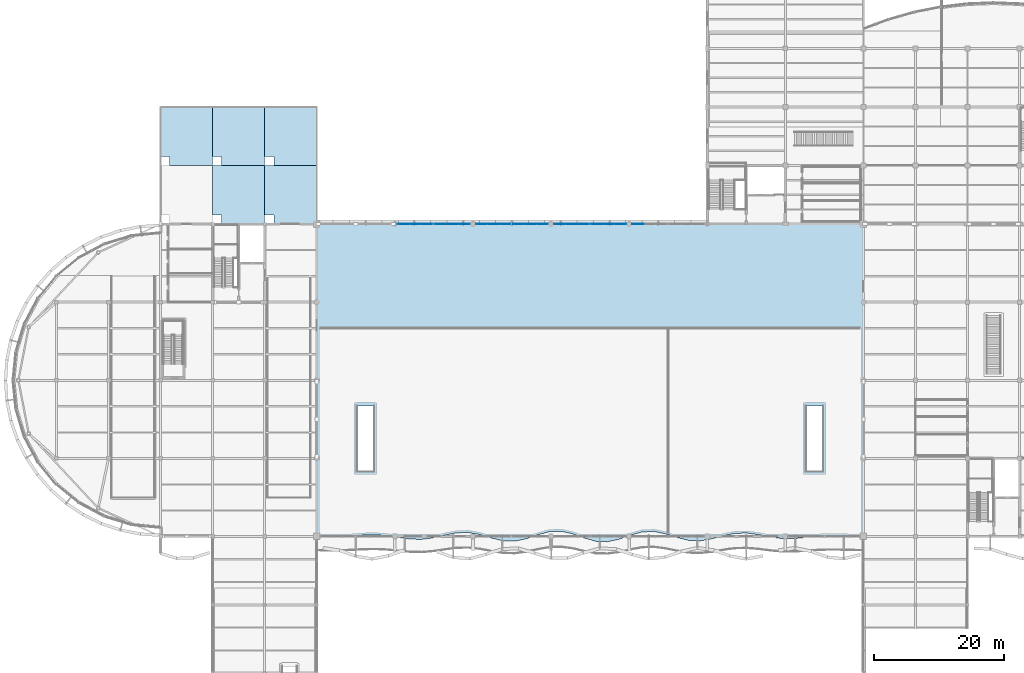
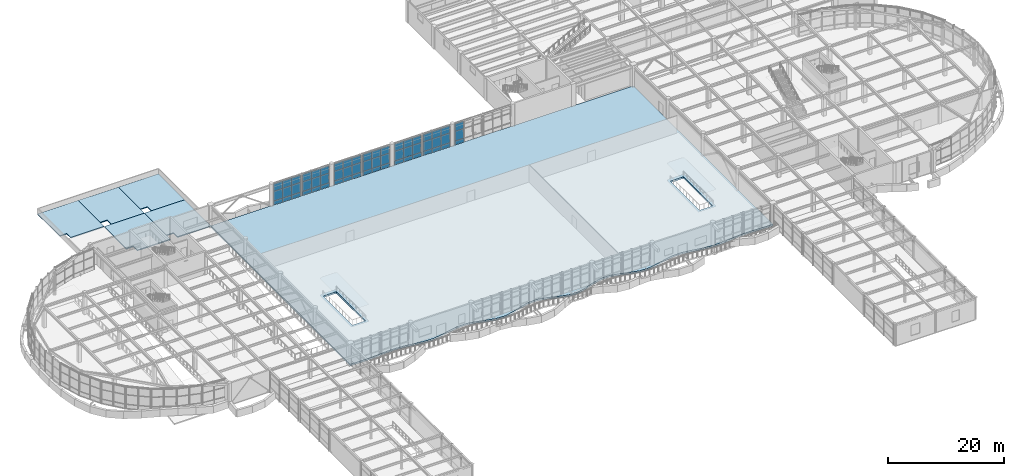
# One storey, part 39 of 72: 57 plates, 6 slabs, 7 elements without a shape of their own.
"""IFC4 building model written with IfcOpenShell, lengths in metres."""

from ifc_helpers import new_model, si_unit, direction, frame, origin, origin_2d, place, context, subcontext, project, spatial, polyline, rectangle, outline, extrude, material, layer, layer_set, type_object, element, aggregate, save


model = new_model("IFC4")

# Units and contexts
model_context = context("Model", 3, precision=1e-05, world=origin(), true_north=direction((0.0, 1.0)))
body_context = subcontext(model_context, "Body", "Model", "MODEL_VIEW")
ifc_project = project(units=[si_unit("LENGTHUNIT", "METRE"), si_unit("AREAUNIT", "SQUARE_METRE"), si_unit("VOLUMEUNIT", "CUBIC_METRE"), si_unit("PLANEANGLEUNIT", "RADIAN"), si_unit("MASSUNIT", "GRAM", prefix="KILO")], contexts=[model_context])

# Site, building, storey
site_placement = place(None, origin())
site = spatial("IfcSite", under=ifc_project, at=site_placement, CompositionType="ELEMENT")
building_placement = place(site_placement, origin())
building = spatial("IfcBuilding", under=site, at=building_placement, Name="Keelwater Ferry Terminal", CompositionType="ELEMENT")
storey_placement = place(building_placement, frame((0.0, 0.0, 5.39990234375)))
storey = spatial("IfcBuildingStorey", under=building, at=storey_placement, Name="L01", CompositionType="ELEMENT", Elevation=5.39990234375)

# Curtain wall, plates
ifc_material_1 = material(Name="Thermally broken unitised aluminium and triple glass", Category="aluminium")
ifc_layer_1 = layer(ifc_material_1, 0.179931640625)
ifc_layer_set_1 = layer_set([ifc_layer_1], Name="Thermally broken unitised aluminium and triple glass")
curtain_wall_type = type_object("IfcCurtainWallType", Name="CW-06 Unitised Curtain Wall 5330x4450", PredefinedType="USERDEFINED", material=ifc_layer_set_1)
curtain_wall_1_placement = place(storey_placement, origin())
curtain_wall_1 = element("IfcCurtainWall", 1, at=curtain_wall_1_placement, inside=storey, type_object=curtain_wall_type, Name="Unitised Curtain Wall CW-L01-031", ObjectType="UNITISED CURTAIN WALL", PredefinedType="USERDEFINED")
ifc_material_2 = material(Name="Insulated aluminium spandrel", Category="aluminium")
ifc_layer_2 = layer(ifc_material_2, 0.080078125)
ifc_layer_set_2 = layer_set([ifc_layer_2], Name="Insulated aluminium spandrel")
plate_type_1 = type_object("IfcPlateType", Name="CWP-S1 Insulated Spandrel Panel 80", PredefinedType="CURTAIN_PANEL", material=ifc_layer_set_2)
plate_1_placement = place(storey_placement, frame((61.36328125, 90.0, 0.0), z_axis=(0.0, 0.0, 1.0), x_axis=(1.0, 0.0, 0.0)))
plate_1 = element("IfcPlate", 2, at=plate_1_placement, type_object=plate_type_1, Name="CW-L01-031 Panel 1.1", PredefinedType="CURTAIN_PANEL", context=body_context, shape_type="SweptSolid", body=[
    extrude(rectangle(XDim=1.776611328125, YDim=0.080078125, at=origin_2d()), origin(), (0.0, 0.0, 1.0), 0.85009765625),
])
plate_2_placement = place(storey_placement, frame((63.139892578125, 90.0, 0.0), z_axis=(0.0, 0.0, 1.0), x_axis=(1.0, 0.0, 0.0)))
plate_2 = element("IfcPlate", 3, at=plate_2_placement, type_object=plate_type_1, Name="CW-L01-031 Panel 2.1", PredefinedType="CURTAIN_PANEL", context=body_context, shape_type="SweptSolid", body=[
    extrude(rectangle(XDim=1.776611328125, YDim=0.080078125, at=origin_2d()), origin(), (0.0, 0.0, 1.0), 0.85009765625),
])
plate_3_placement = place(storey_placement, frame((64.916748046875, 90.0, 0.0), z_axis=(0.0, 0.0, 1.0), x_axis=(1.0, 0.0, 0.0)))
plate_3 = element("IfcPlate", 4, at=plate_3_placement, type_object=plate_type_1, Name="CW-L01-031 Panel 3.1", PredefinedType="CURTAIN_PANEL", context=body_context, shape_type="SweptSolid", body=[
    extrude(rectangle(XDim=1.776611328125, YDim=0.080078125, at=origin_2d()), origin(), (0.0, 0.0, 1.0), 0.85009765625),
])

curtain_wall_2_placement = place(storey_placement, origin())
curtain_wall_2 = element("IfcCurtainWall", 5, at=curtain_wall_2_placement, inside=storey, type_object=curtain_wall_type, Name="Unitised Curtain Wall CW-L01-032", ObjectType="UNITISED CURTAIN WALL", PredefinedType="USERDEFINED")
plate_4_placement = place(storey_placement, frame((67.083251953125, 90.0, 0.0), z_axis=(0.0, 0.0, 1.0), x_axis=(1.0, 0.0, 0.0)))
plate_4 = element("IfcPlate", 6, at=plate_4_placement, type_object=plate_type_1, Name="CW-L01-032 Panel 1.1", PredefinedType="CURTAIN_PANEL", context=body_context, shape_type="SweptSolid", body=[
    extrude(rectangle(XDim=1.776611328125, YDim=0.080078125, at=origin_2d()), origin(), (0.0, 0.0, 1.0), 0.85009765625),
])
plate_5_placement = place(storey_placement, frame((68.860107421875, 90.0, 0.0), z_axis=(0.0, 0.0, 1.0), x_axis=(1.0, 0.0, 0.0)))
plate_5 = element("IfcPlate", 7, at=plate_5_placement, type_object=plate_type_1, Name="CW-L01-032 Panel 2.1", PredefinedType="CURTAIN_PANEL", context=body_context, shape_type="SweptSolid", body=[
    extrude(rectangle(XDim=1.776611328125, YDim=0.080078125, at=origin_2d()), origin(), (0.0, 0.0, 1.0), 0.85009765625),
])
plate_6_placement = place(storey_placement, frame((70.63671875, 90.0, 0.0), z_axis=(0.0, 0.0, 1.0), x_axis=(1.0, 0.0, 0.0)))
plate_6 = element("IfcPlate", 8, at=plate_6_placement, type_object=plate_type_1, Name="CW-L01-032 Panel 3.1", PredefinedType="CURTAIN_PANEL", context=body_context, shape_type="SweptSolid", body=[
    extrude(rectangle(XDim=1.776611328125, YDim=0.080078125, at=origin_2d()), origin(), (0.0, 0.0, 1.0), 0.85009765625),
])

curtain_wall_3_placement = place(storey_placement, origin())
curtain_wall_3 = element("IfcCurtainWall", 9, at=curtain_wall_3_placement, inside=storey, type_object=curtain_wall_type, Name="Unitised Curtain Wall CW-L01-033", ObjectType="UNITISED CURTAIN WALL", PredefinedType="USERDEFINED")
plate_7_placement = place(storey_placement, frame((73.36328125, 90.0, 0.0), z_axis=(0.0, 0.0, 1.0), x_axis=(1.0, 0.0, 0.0)))
plate_7 = element("IfcPlate", 10, at=plate_7_placement, type_object=plate_type_1, Name="CW-L01-033 Panel 1.1", PredefinedType="CURTAIN_PANEL", context=body_context, shape_type="SweptSolid", body=[
    extrude(rectangle(XDim=1.776611328125, YDim=0.080078125, at=origin_2d()), origin(), (0.0, 0.0, 1.0), 0.85009765625),
])
plate_8_placement = place(storey_placement, frame((75.139892578125, 90.0, 0.0), z_axis=(0.0, 0.0, 1.0), x_axis=(1.0, 0.0, 0.0)))
plate_8 = element("IfcPlate", 11, at=plate_8_placement, type_object=plate_type_1, Name="CW-L01-033 Panel 2.1", PredefinedType="CURTAIN_PANEL", context=body_context, shape_type="SweptSolid", body=[
    extrude(rectangle(XDim=1.776611328125, YDim=0.080078125, at=origin_2d()), origin(), (0.0, 0.0, 1.0), 0.85009765625),
])
plate_9_placement = place(storey_placement, frame((76.916748046875, 90.0, 0.0), z_axis=(0.0, 0.0, 1.0), x_axis=(1.0, 0.0, 0.0)))
plate_9 = element("IfcPlate", 12, at=plate_9_placement, type_object=plate_type_1, Name="CW-L01-033 Panel 3.1", PredefinedType="CURTAIN_PANEL", context=body_context, shape_type="SweptSolid", body=[
    extrude(rectangle(XDim=1.776611328125, YDim=0.080078125, at=origin_2d()), origin(), (0.0, 0.0, 1.0), 0.85009765625),
])

curtain_wall_4_placement = place(storey_placement, origin())
curtain_wall_4 = element("IfcCurtainWall", 13, at=curtain_wall_4_placement, inside=storey, type_object=curtain_wall_type, Name="Unitised Curtain Wall CW-L01-034", ObjectType="UNITISED CURTAIN WALL", PredefinedType="USERDEFINED")
plate_10_placement = place(storey_placement, frame((79.083251953125, 90.0, 0.0), z_axis=(0.0, 0.0, 1.0), x_axis=(1.0, 0.0, 0.0)))
plate_10 = element("IfcPlate", 14, at=plate_10_placement, type_object=plate_type_1, Name="CW-L01-034 Panel 1.1", PredefinedType="CURTAIN_PANEL", context=body_context, shape_type="SweptSolid", body=[
    extrude(rectangle(XDim=1.776611328125, YDim=0.080078125, at=origin_2d()), origin(), (0.0, 0.0, 1.0), 0.85009765625),
])
plate_11_placement = place(storey_placement, frame((80.860107421875, 90.0, 0.0), z_axis=(0.0, 0.0, 1.0), x_axis=(1.0, 0.0, 0.0)))
plate_11 = element("IfcPlate", 15, at=plate_11_placement, type_object=plate_type_1, Name="CW-L01-034 Panel 2.1", PredefinedType="CURTAIN_PANEL", context=body_context, shape_type="SweptSolid", body=[
    extrude(rectangle(XDim=1.776611328125, YDim=0.080078125, at=origin_2d()), origin(), (0.0, 0.0, 1.0), 0.85009765625),
])
plate_12_placement = place(storey_placement, frame((82.63671875, 90.0, 0.0), z_axis=(0.0, 0.0, 1.0), x_axis=(1.0, 0.0, 0.0)))
plate_12 = element("IfcPlate", 16, at=plate_12_placement, type_object=plate_type_1, Name="CW-L01-034 Panel 3.1", PredefinedType="CURTAIN_PANEL", context=body_context, shape_type="SweptSolid", body=[
    extrude(rectangle(XDim=1.776611328125, YDim=0.080078125, at=origin_2d()), origin(), (0.0, 0.0, 1.0), 0.85009765625),
])

curtain_wall_5_placement = place(storey_placement, origin())
curtain_wall_5 = element("IfcCurtainWall", 17, at=curtain_wall_5_placement, inside=storey, type_object=curtain_wall_type, Name="Unitised Curtain Wall CW-L01-035", ObjectType="UNITISED CURTAIN WALL", PredefinedType="USERDEFINED")
plate_13_placement = place(storey_placement, frame((85.36328125, 90.0, 0.0), z_axis=(0.0, 0.0, 1.0), x_axis=(1.0, 0.0, 0.0)))
plate_13 = element("IfcPlate", 18, at=plate_13_placement, type_object=plate_type_1, Name="CW-L01-035 Panel 1.1", PredefinedType="CURTAIN_PANEL", context=body_context, shape_type="SweptSolid", body=[
    extrude(rectangle(XDim=1.776611328125, YDim=0.080078125, at=origin_2d()), origin(), (0.0, 0.0, 1.0), 0.85009765625),
])
plate_14_placement = place(storey_placement, frame((87.139892578125, 90.0, 0.0), z_axis=(0.0, 0.0, 1.0), x_axis=(1.0, 0.0, 0.0)))
plate_14 = element("IfcPlate", 19, at=plate_14_placement, type_object=plate_type_1, Name="CW-L01-035 Panel 2.1", PredefinedType="CURTAIN_PANEL", context=body_context, shape_type="SweptSolid", body=[
    extrude(rectangle(XDim=1.776611328125, YDim=0.080078125, at=origin_2d()), origin(), (0.0, 0.0, 1.0), 0.85009765625),
])
plate_15_placement = place(storey_placement, frame((88.916748046875, 90.0, 0.0), z_axis=(0.0, 0.0, 1.0), x_axis=(1.0, 0.0, 0.0)))
plate_15 = element("IfcPlate", 20, at=plate_15_placement, type_object=plate_type_1, Name="CW-L01-035 Panel 3.1", PredefinedType="CURTAIN_PANEL", context=body_context, shape_type="SweptSolid", body=[
    extrude(rectangle(XDim=1.776611328125, YDim=0.080078125, at=origin_2d()), origin(), (0.0, 0.0, 1.0), 0.85009765625),
])

curtain_wall_6_placement = place(storey_placement, origin())
curtain_wall_6 = element("IfcCurtainWall", 21, at=curtain_wall_6_placement, inside=storey, type_object=curtain_wall_type, Name="Unitised Curtain Wall CW-L01-036", ObjectType="UNITISED CURTAIN WALL", PredefinedType="USERDEFINED")
plate_16_placement = place(storey_placement, frame((91.083251953125, 90.0, 0.0), z_axis=(0.0, 0.0, 1.0), x_axis=(1.0, 0.0, 0.0)))
plate_16 = element("IfcPlate", 22, at=plate_16_placement, type_object=plate_type_1, Name="CW-L01-036 Panel 1.1", PredefinedType="CURTAIN_PANEL", context=body_context, shape_type="SweptSolid", body=[
    extrude(rectangle(XDim=1.776611328125, YDim=0.080078125, at=origin_2d()), origin(), (0.0, 0.0, 1.0), 0.85009765625),
])
plate_17_placement = place(storey_placement, frame((92.860107421875, 90.0, 0.0), z_axis=(0.0, 0.0, 1.0), x_axis=(1.0, 0.0, 0.0)))
plate_17 = element("IfcPlate", 23, at=plate_17_placement, type_object=plate_type_1, Name="CW-L01-036 Panel 2.1", PredefinedType="CURTAIN_PANEL", context=body_context, shape_type="SweptSolid", body=[
    extrude(rectangle(XDim=1.776611328125, YDim=0.080078125, at=origin_2d()), origin(), (0.0, 0.0, 1.0), 0.85009765625),
])
plate_18_placement = place(storey_placement, frame((94.63671875, 90.0, 0.0), z_axis=(0.0, 0.0, 1.0), x_axis=(1.0, 0.0, 0.0)))
plate_18 = element("IfcPlate", 24, at=plate_18_placement, type_object=plate_type_1, Name="CW-L01-036 Panel 3.1", PredefinedType="CURTAIN_PANEL", context=body_context, shape_type="SweptSolid", body=[
    extrude(rectangle(XDim=1.776611328125, YDim=0.080078125, at=origin_2d()), origin(), (0.0, 0.0, 1.0), 0.85009765625),
])

# Curtain wall, plate
curtain_wall_7_placement = place(storey_placement, origin())
curtain_wall_7 = element("IfcCurtainWall", 25, at=curtain_wall_7_placement, inside=storey, type_object=curtain_wall_type, Name="Unitised Curtain Wall CW-L01-037", ObjectType="UNITISED CURTAIN WALL", PredefinedType="USERDEFINED")
plate_19_placement = place(storey_placement, frame((97.36328125, 90.0, 0.0), z_axis=(0.0, 0.0, 1.0), x_axis=(1.0, 0.0, 0.0)))
plate_19 = element("IfcPlate", 26, at=plate_19_placement, type_object=plate_type_1, Name="CW-L01-037 Panel 1.1", PredefinedType="CURTAIN_PANEL", context=body_context, shape_type="SweptSolid", body=[
    extrude(rectangle(XDim=1.776611328125, YDim=0.080078125, at=origin_2d()), origin(), (0.0, 0.0, 1.0), 0.85009765625),
])

# Plate
ifc_material_3 = material(Name="Triple low-E laminated glass", Category="glass")
ifc_layer_3 = layer(ifc_material_3, 0.035888671875)
ifc_layer_set_3 = layer_set([ifc_layer_3], Name="Triple low-E laminated glass")
plate_type_2 = type_object("IfcPlateType", Name="CWP-V1 Glazed Vision Panel 36", PredefinedType="CURTAIN_PANEL", material=ifc_layer_set_3)
plate_20_placement = place(storey_placement, frame((61.36328125, 90.0, 0.85009765625), z_axis=(0.0, 0.0, 1.0), x_axis=(1.0, 0.0, 0.0)))
plate_20 = element("IfcPlate", 27, at=plate_20_placement, type_object=plate_type_2, Name="CW-L01-031 Panel 1.2", PredefinedType="CURTAIN_PANEL", context=body_context, shape_type="SweptSolid", body=[
    extrude(rectangle(XDim=1.776611328125, YDim=0.035888671875, at=origin_2d()), origin(), (0.0, 0.0, 1.0), 2.050048828125),
])

plate_21_placement = place(storey_placement, frame((61.36328125, 90.0, 2.89990234375), z_axis=(0.0, 0.0, 1.0), x_axis=(1.0, 0.0, 0.0)))
plate_21 = element("IfcPlate", 28, at=plate_21_placement, type_object=plate_type_2, Name="CW-L01-031 Panel 1.3", PredefinedType="CURTAIN_PANEL", context=body_context, shape_type="SweptSolid", body=[
    extrude(rectangle(XDim=1.776611328125, YDim=0.035888671875, at=origin_2d()), origin(), (0.0, 0.0, 1.0), 1.550048828125),
])

plate_22_placement = place(storey_placement, frame((63.139892578125, 90.0, 0.85009765625), z_axis=(0.0, 0.0, 1.0), x_axis=(1.0, 0.0, 0.0)))
plate_22 = element("IfcPlate", 29, at=plate_22_placement, type_object=plate_type_2, Name="CW-L01-031 Panel 2.2", PredefinedType="CURTAIN_PANEL", context=body_context, shape_type="SweptSolid", body=[
    extrude(rectangle(XDim=1.776611328125, YDim=0.035888671875, at=origin_2d()), origin(), (0.0, 0.0, 1.0), 2.050048828125),
])

plate_23_placement = place(storey_placement, frame((63.139892578125, 90.0, 2.89990234375), z_axis=(0.0, 0.0, 1.0), x_axis=(1.0, 0.0, 0.0)))
plate_23 = element("IfcPlate", 30, at=plate_23_placement, type_object=plate_type_2, Name="CW-L01-031 Panel 2.3", PredefinedType="CURTAIN_PANEL", context=body_context, shape_type="SweptSolid", body=[
    extrude(rectangle(XDim=1.776611328125, YDim=0.035888671875, at=origin_2d()), origin(), (0.0, 0.0, 1.0), 1.550048828125),
])

plate_24_placement = place(storey_placement, frame((64.916748046875, 90.0, 0.85009765625), z_axis=(0.0, 0.0, 1.0), x_axis=(1.0, 0.0, 0.0)))
plate_24 = element("IfcPlate", 31, at=plate_24_placement, type_object=plate_type_2, Name="CW-L01-031 Panel 3.2", PredefinedType="CURTAIN_PANEL", context=body_context, shape_type="SweptSolid", body=[
    extrude(rectangle(XDim=1.776611328125, YDim=0.035888671875, at=origin_2d()), origin(), (0.0, 0.0, 1.0), 2.050048828125),
])

plate_25_placement = place(storey_placement, frame((64.916748046875, 90.0, 2.89990234375), z_axis=(0.0, 0.0, 1.0), x_axis=(1.0, 0.0, 0.0)))
plate_25 = element("IfcPlate", 32, at=plate_25_placement, type_object=plate_type_2, Name="CW-L01-031 Panel 3.3", PredefinedType="CURTAIN_PANEL", context=body_context, shape_type="SweptSolid", body=[
    extrude(rectangle(XDim=1.776611328125, YDim=0.035888671875, at=origin_2d()), origin(), (0.0, 0.0, 1.0), 1.550048828125),
])

aggregate(curtain_wall_1, [plate_1, plate_20, plate_21, plate_2, plate_22, plate_23, plate_3, plate_24, plate_25])

plate_26_placement = place(storey_placement, frame((67.083251953125, 90.0, 0.85009765625), z_axis=(0.0, 0.0, 1.0), x_axis=(1.0, 0.0, 0.0)))
plate_26 = element("IfcPlate", 33, at=plate_26_placement, type_object=plate_type_2, Name="CW-L01-032 Panel 1.2", PredefinedType="CURTAIN_PANEL", context=body_context, shape_type="SweptSolid", body=[
    extrude(rectangle(XDim=1.776611328125, YDim=0.035888671875, at=origin_2d()), origin(), (0.0, 0.0, 1.0), 2.050048828125),
])

plate_27_placement = place(storey_placement, frame((67.083251953125, 90.0, 2.89990234375), z_axis=(0.0, 0.0, 1.0), x_axis=(1.0, 0.0, 0.0)))
plate_27 = element("IfcPlate", 34, at=plate_27_placement, type_object=plate_type_2, Name="CW-L01-032 Panel 1.3", PredefinedType="CURTAIN_PANEL", context=body_context, shape_type="SweptSolid", body=[
    extrude(rectangle(XDim=1.776611328125, YDim=0.035888671875, at=origin_2d()), origin(), (0.0, 0.0, 1.0), 1.550048828125),
])

plate_28_placement = place(storey_placement, frame((68.860107421875, 90.0, 0.85009765625), z_axis=(0.0, 0.0, 1.0), x_axis=(1.0, 0.0, 0.0)))
plate_28 = element("IfcPlate", 35, at=plate_28_placement, type_object=plate_type_2, Name="CW-L01-032 Panel 2.2", PredefinedType="CURTAIN_PANEL", context=body_context, shape_type="SweptSolid", body=[
    extrude(rectangle(XDim=1.776611328125, YDim=0.035888671875, at=origin_2d()), origin(), (0.0, 0.0, 1.0), 2.050048828125),
])

plate_29_placement = place(storey_placement, frame((68.860107421875, 90.0, 2.89990234375), z_axis=(0.0, 0.0, 1.0), x_axis=(1.0, 0.0, 0.0)))
plate_29 = element("IfcPlate", 36, at=plate_29_placement, type_object=plate_type_2, Name="CW-L01-032 Panel 2.3", PredefinedType="CURTAIN_PANEL", context=body_context, shape_type="SweptSolid", body=[
    extrude(rectangle(XDim=1.776611328125, YDim=0.035888671875, at=origin_2d()), origin(), (0.0, 0.0, 1.0), 1.550048828125),
])

plate_30_placement = place(storey_placement, frame((70.63671875, 90.0, 0.85009765625), z_axis=(0.0, 0.0, 1.0), x_axis=(1.0, 0.0, 0.0)))
plate_30 = element("IfcPlate", 37, at=plate_30_placement, type_object=plate_type_2, Name="CW-L01-032 Panel 3.2", PredefinedType="CURTAIN_PANEL", context=body_context, shape_type="SweptSolid", body=[
    extrude(rectangle(XDim=1.776611328125, YDim=0.035888671875, at=origin_2d()), origin(), (0.0, 0.0, 1.0), 2.050048828125),
])

plate_31_placement = place(storey_placement, frame((70.63671875, 90.0, 2.89990234375), z_axis=(0.0, 0.0, 1.0), x_axis=(1.0, 0.0, 0.0)))
plate_31 = element("IfcPlate", 38, at=plate_31_placement, type_object=plate_type_2, Name="CW-L01-032 Panel 3.3", PredefinedType="CURTAIN_PANEL", context=body_context, shape_type="SweptSolid", body=[
    extrude(rectangle(XDim=1.776611328125, YDim=0.035888671875, at=origin_2d()), origin(), (0.0, 0.0, 1.0), 1.550048828125),
])

aggregate(curtain_wall_2, [plate_4, plate_26, plate_27, plate_5, plate_28, plate_29, plate_6, plate_30, plate_31])

plate_32_placement = place(storey_placement, frame((73.36328125, 90.0, 0.85009765625), z_axis=(0.0, 0.0, 1.0), x_axis=(1.0, 0.0, 0.0)))
plate_32 = element("IfcPlate", 39, at=plate_32_placement, type_object=plate_type_2, Name="CW-L01-033 Panel 1.2", PredefinedType="CURTAIN_PANEL", context=body_context, shape_type="SweptSolid", body=[
    extrude(rectangle(XDim=1.776611328125, YDim=0.035888671875, at=origin_2d()), origin(), (0.0, 0.0, 1.0), 2.050048828125),
])

plate_33_placement = place(storey_placement, frame((73.36328125, 90.0, 2.89990234375), z_axis=(0.0, 0.0, 1.0), x_axis=(1.0, 0.0, 0.0)))
plate_33 = element("IfcPlate", 40, at=plate_33_placement, type_object=plate_type_2, Name="CW-L01-033 Panel 1.3", PredefinedType="CURTAIN_PANEL", context=body_context, shape_type="SweptSolid", body=[
    extrude(rectangle(XDim=1.776611328125, YDim=0.035888671875, at=origin_2d()), origin(), (0.0, 0.0, 1.0), 1.550048828125),
])

plate_34_placement = place(storey_placement, frame((75.139892578125, 90.0, 0.85009765625), z_axis=(0.0, 0.0, 1.0), x_axis=(1.0, 0.0, 0.0)))
plate_34 = element("IfcPlate", 41, at=plate_34_placement, type_object=plate_type_2, Name="CW-L01-033 Panel 2.2", PredefinedType="CURTAIN_PANEL", context=body_context, shape_type="SweptSolid", body=[
    extrude(rectangle(XDim=1.776611328125, YDim=0.035888671875, at=origin_2d()), origin(), (0.0, 0.0, 1.0), 2.050048828125),
])

plate_35_placement = place(storey_placement, frame((75.139892578125, 90.0, 2.89990234375), z_axis=(0.0, 0.0, 1.0), x_axis=(1.0, 0.0, 0.0)))
plate_35 = element("IfcPlate", 42, at=plate_35_placement, type_object=plate_type_2, Name="CW-L01-033 Panel 2.3", PredefinedType="CURTAIN_PANEL", context=body_context, shape_type="SweptSolid", body=[
    extrude(rectangle(XDim=1.776611328125, YDim=0.035888671875, at=origin_2d()), origin(), (0.0, 0.0, 1.0), 1.550048828125),
])

plate_36_placement = place(storey_placement, frame((76.916748046875, 90.0, 0.85009765625), z_axis=(0.0, 0.0, 1.0), x_axis=(1.0, 0.0, 0.0)))
plate_36 = element("IfcPlate", 43, at=plate_36_placement, type_object=plate_type_2, Name="CW-L01-033 Panel 3.2", PredefinedType="CURTAIN_PANEL", context=body_context, shape_type="SweptSolid", body=[
    extrude(rectangle(XDim=1.776611328125, YDim=0.035888671875, at=origin_2d()), origin(), (0.0, 0.0, 1.0), 2.050048828125),
])

plate_37_placement = place(storey_placement, frame((76.916748046875, 90.0, 2.89990234375), z_axis=(0.0, 0.0, 1.0), x_axis=(1.0, 0.0, 0.0)))
plate_37 = element("IfcPlate", 44, at=plate_37_placement, type_object=plate_type_2, Name="CW-L01-033 Panel 3.3", PredefinedType="CURTAIN_PANEL", context=body_context, shape_type="SweptSolid", body=[
    extrude(rectangle(XDim=1.776611328125, YDim=0.035888671875, at=origin_2d()), origin(), (0.0, 0.0, 1.0), 1.550048828125),
])

aggregate(curtain_wall_3, [plate_7, plate_32, plate_33, plate_8, plate_34, plate_35, plate_9, plate_36, plate_37])

plate_38_placement = place(storey_placement, frame((79.083251953125, 90.0, 0.85009765625), z_axis=(0.0, 0.0, 1.0), x_axis=(1.0, 0.0, 0.0)))
plate_38 = element("IfcPlate", 45, at=plate_38_placement, type_object=plate_type_2, Name="CW-L01-034 Panel 1.2", PredefinedType="CURTAIN_PANEL", context=body_context, shape_type="SweptSolid", body=[
    extrude(rectangle(XDim=1.776611328125, YDim=0.035888671875, at=origin_2d()), origin(), (0.0, 0.0, 1.0), 2.050048828125),
])

plate_39_placement = place(storey_placement, frame((79.083251953125, 90.0, 2.89990234375), z_axis=(0.0, 0.0, 1.0), x_axis=(1.0, 0.0, 0.0)))
plate_39 = element("IfcPlate", 46, at=plate_39_placement, type_object=plate_type_2, Name="CW-L01-034 Panel 1.3", PredefinedType="CURTAIN_PANEL", context=body_context, shape_type="SweptSolid", body=[
    extrude(rectangle(XDim=1.776611328125, YDim=0.035888671875, at=origin_2d()), origin(), (0.0, 0.0, 1.0), 1.550048828125),
])

plate_40_placement = place(storey_placement, frame((80.860107421875, 90.0, 0.85009765625), z_axis=(0.0, 0.0, 1.0), x_axis=(1.0, 0.0, 0.0)))
plate_40 = element("IfcPlate", 47, at=plate_40_placement, type_object=plate_type_2, Name="CW-L01-034 Panel 2.2", PredefinedType="CURTAIN_PANEL", context=body_context, shape_type="SweptSolid", body=[
    extrude(rectangle(XDim=1.776611328125, YDim=0.035888671875, at=origin_2d()), origin(), (0.0, 0.0, 1.0), 2.050048828125),
])

plate_41_placement = place(storey_placement, frame((80.860107421875, 90.0, 2.89990234375), z_axis=(0.0, 0.0, 1.0), x_axis=(1.0, 0.0, 0.0)))
plate_41 = element("IfcPlate", 48, at=plate_41_placement, type_object=plate_type_2, Name="CW-L01-034 Panel 2.3", PredefinedType="CURTAIN_PANEL", context=body_context, shape_type="SweptSolid", body=[
    extrude(rectangle(XDim=1.776611328125, YDim=0.035888671875, at=origin_2d()), origin(), (0.0, 0.0, 1.0), 1.550048828125),
])

plate_42_placement = place(storey_placement, frame((82.63671875, 90.0, 0.85009765625), z_axis=(0.0, 0.0, 1.0), x_axis=(1.0, 0.0, 0.0)))
plate_42 = element("IfcPlate", 49, at=plate_42_placement, type_object=plate_type_2, Name="CW-L01-034 Panel 3.2", PredefinedType="CURTAIN_PANEL", context=body_context, shape_type="SweptSolid", body=[
    extrude(rectangle(XDim=1.776611328125, YDim=0.035888671875, at=origin_2d()), origin(), (0.0, 0.0, 1.0), 2.050048828125),
])

plate_43_placement = place(storey_placement, frame((82.63671875, 90.0, 2.89990234375), z_axis=(0.0, 0.0, 1.0), x_axis=(1.0, 0.0, 0.0)))
plate_43 = element("IfcPlate", 50, at=plate_43_placement, type_object=plate_type_2, Name="CW-L01-034 Panel 3.3", PredefinedType="CURTAIN_PANEL", context=body_context, shape_type="SweptSolid", body=[
    extrude(rectangle(XDim=1.776611328125, YDim=0.035888671875, at=origin_2d()), origin(), (0.0, 0.0, 1.0), 1.550048828125),
])

aggregate(curtain_wall_4, [plate_10, plate_38, plate_39, plate_11, plate_40, plate_41, plate_12, plate_42, plate_43])

plate_44_placement = place(storey_placement, frame((85.36328125, 90.0, 0.85009765625), z_axis=(0.0, 0.0, 1.0), x_axis=(1.0, 0.0, 0.0)))
plate_44 = element("IfcPlate", 51, at=plate_44_placement, type_object=plate_type_2, Name="CW-L01-035 Panel 1.2", PredefinedType="CURTAIN_PANEL", context=body_context, shape_type="SweptSolid", body=[
    extrude(rectangle(XDim=1.776611328125, YDim=0.035888671875, at=origin_2d()), origin(), (0.0, 0.0, 1.0), 2.050048828125),
])

plate_45_placement = place(storey_placement, frame((85.36328125, 90.0, 2.89990234375), z_axis=(0.0, 0.0, 1.0), x_axis=(1.0, 0.0, 0.0)))
plate_45 = element("IfcPlate", 52, at=plate_45_placement, type_object=plate_type_2, Name="CW-L01-035 Panel 1.3", PredefinedType="CURTAIN_PANEL", context=body_context, shape_type="SweptSolid", body=[
    extrude(rectangle(XDim=1.776611328125, YDim=0.035888671875, at=origin_2d()), origin(), (0.0, 0.0, 1.0), 1.550048828125),
])

plate_46_placement = place(storey_placement, frame((87.139892578125, 90.0, 0.85009765625), z_axis=(0.0, 0.0, 1.0), x_axis=(1.0, 0.0, 0.0)))
plate_46 = element("IfcPlate", 53, at=plate_46_placement, type_object=plate_type_2, Name="CW-L01-035 Panel 2.2", PredefinedType="CURTAIN_PANEL", context=body_context, shape_type="SweptSolid", body=[
    extrude(rectangle(XDim=1.776611328125, YDim=0.035888671875, at=origin_2d()), origin(), (0.0, 0.0, 1.0), 2.050048828125),
])

plate_47_placement = place(storey_placement, frame((87.139892578125, 90.0, 2.89990234375), z_axis=(0.0, 0.0, 1.0), x_axis=(1.0, 0.0, 0.0)))
plate_47 = element("IfcPlate", 54, at=plate_47_placement, type_object=plate_type_2, Name="CW-L01-035 Panel 2.3", PredefinedType="CURTAIN_PANEL", context=body_context, shape_type="SweptSolid", body=[
    extrude(rectangle(XDim=1.776611328125, YDim=0.035888671875, at=origin_2d()), origin(), (0.0, 0.0, 1.0), 1.550048828125),
])

plate_48_placement = place(storey_placement, frame((88.916748046875, 90.0, 0.85009765625), z_axis=(0.0, 0.0, 1.0), x_axis=(1.0, 0.0, 0.0)))
plate_48 = element("IfcPlate", 55, at=plate_48_placement, type_object=plate_type_2, Name="CW-L01-035 Panel 3.2", PredefinedType="CURTAIN_PANEL", context=body_context, shape_type="SweptSolid", body=[
    extrude(rectangle(XDim=1.776611328125, YDim=0.035888671875, at=origin_2d()), origin(), (0.0, 0.0, 1.0), 2.050048828125),
])

plate_49_placement = place(storey_placement, frame((88.916748046875, 90.0, 2.89990234375), z_axis=(0.0, 0.0, 1.0), x_axis=(1.0, 0.0, 0.0)))
plate_49 = element("IfcPlate", 56, at=plate_49_placement, type_object=plate_type_2, Name="CW-L01-035 Panel 3.3", PredefinedType="CURTAIN_PANEL", context=body_context, shape_type="SweptSolid", body=[
    extrude(rectangle(XDim=1.776611328125, YDim=0.035888671875, at=origin_2d()), origin(), (0.0, 0.0, 1.0), 1.550048828125),
])

aggregate(curtain_wall_5, [plate_13, plate_44, plate_45, plate_14, plate_46, plate_47, plate_15, plate_48, plate_49])

plate_50_placement = place(storey_placement, frame((91.083251953125, 90.0, 0.85009765625), z_axis=(0.0, 0.0, 1.0), x_axis=(1.0, 0.0, 0.0)))
plate_50 = element("IfcPlate", 57, at=plate_50_placement, type_object=plate_type_2, Name="CW-L01-036 Panel 1.2", PredefinedType="CURTAIN_PANEL", context=body_context, shape_type="SweptSolid", body=[
    extrude(rectangle(XDim=1.776611328125, YDim=0.035888671875, at=origin_2d()), origin(), (0.0, 0.0, 1.0), 2.050048828125),
])

plate_51_placement = place(storey_placement, frame((91.083251953125, 90.0, 2.89990234375), z_axis=(0.0, 0.0, 1.0), x_axis=(1.0, 0.0, 0.0)))
plate_51 = element("IfcPlate", 58, at=plate_51_placement, type_object=plate_type_2, Name="CW-L01-036 Panel 1.3", PredefinedType="CURTAIN_PANEL", context=body_context, shape_type="SweptSolid", body=[
    extrude(rectangle(XDim=1.776611328125, YDim=0.035888671875, at=origin_2d()), origin(), (0.0, 0.0, 1.0), 1.550048828125),
])

plate_52_placement = place(storey_placement, frame((92.860107421875, 90.0, 0.85009765625), z_axis=(0.0, 0.0, 1.0), x_axis=(1.0, 0.0, 0.0)))
plate_52 = element("IfcPlate", 59, at=plate_52_placement, type_object=plate_type_2, Name="CW-L01-036 Panel 2.2", PredefinedType="CURTAIN_PANEL", context=body_context, shape_type="SweptSolid", body=[
    extrude(rectangle(XDim=1.776611328125, YDim=0.035888671875, at=origin_2d()), origin(), (0.0, 0.0, 1.0), 2.050048828125),
])

plate_53_placement = place(storey_placement, frame((92.860107421875, 90.0, 2.89990234375), z_axis=(0.0, 0.0, 1.0), x_axis=(1.0, 0.0, 0.0)))
plate_53 = element("IfcPlate", 60, at=plate_53_placement, type_object=plate_type_2, Name="CW-L01-036 Panel 2.3", PredefinedType="CURTAIN_PANEL", context=body_context, shape_type="SweptSolid", body=[
    extrude(rectangle(XDim=1.776611328125, YDim=0.035888671875, at=origin_2d()), origin(), (0.0, 0.0, 1.0), 1.550048828125),
])

plate_54_placement = place(storey_placement, frame((94.63671875, 90.0, 0.85009765625), z_axis=(0.0, 0.0, 1.0), x_axis=(1.0, 0.0, 0.0)))
plate_54 = element("IfcPlate", 61, at=plate_54_placement, type_object=plate_type_2, Name="CW-L01-036 Panel 3.2", PredefinedType="CURTAIN_PANEL", context=body_context, shape_type="SweptSolid", body=[
    extrude(rectangle(XDim=1.776611328125, YDim=0.035888671875, at=origin_2d()), origin(), (0.0, 0.0, 1.0), 2.050048828125),
])

plate_55_placement = place(storey_placement, frame((94.63671875, 90.0, 2.89990234375), z_axis=(0.0, 0.0, 1.0), x_axis=(1.0, 0.0, 0.0)))
plate_55 = element("IfcPlate", 62, at=plate_55_placement, type_object=plate_type_2, Name="CW-L01-036 Panel 3.3", PredefinedType="CURTAIN_PANEL", context=body_context, shape_type="SweptSolid", body=[
    extrude(rectangle(XDim=1.776611328125, YDim=0.035888671875, at=origin_2d()), origin(), (0.0, 0.0, 1.0), 1.550048828125),
])

aggregate(curtain_wall_6, [plate_16, plate_50, plate_51, plate_17, plate_52, plate_53, plate_18, plate_54, plate_55])

plate_56_placement = place(storey_placement, frame((97.36328125, 90.0, 0.85009765625), z_axis=(0.0, 0.0, 1.0), x_axis=(1.0, 0.0, 0.0)))
plate_56 = element("IfcPlate", 63, at=plate_56_placement, type_object=plate_type_2, Name="CW-L01-037 Panel 1.2", PredefinedType="CURTAIN_PANEL", context=body_context, shape_type="SweptSolid", body=[
    extrude(rectangle(XDim=1.776611328125, YDim=0.035888671875, at=origin_2d()), origin(), (0.0, 0.0, 1.0), 2.050048828125),
])

plate_57_placement = place(storey_placement, frame((97.36328125, 90.0, 2.89990234375), z_axis=(0.0, 0.0, 1.0), x_axis=(1.0, 0.0, 0.0)))
plate_57 = element("IfcPlate", 64, at=plate_57_placement, type_object=plate_type_2, Name="CW-L01-037 Panel 1.3", PredefinedType="CURTAIN_PANEL", context=body_context, shape_type="SweptSolid", body=[
    extrude(rectangle(XDim=1.776611328125, YDim=0.035888671875, at=origin_2d()), origin(), (0.0, 0.0, 1.0), 1.550048828125),
])

aggregate(curtain_wall_7, [plate_19, plate_56, plate_57])

# Slabs
ifc_material_4 = material(Name="Concrete C40/50", Category="concrete")
ifc_layer_4 = layer(ifc_material_4, 0.340087890625)
ifc_layer_set_4 = layer_set([ifc_layer_4], Name="Concrete C40/50")
slab_type_1 = type_object("IfcSlabType", Name="SL-F340 Suspended Floor Slab 340", PredefinedType="FLOOR", material=ifc_layer_set_4)
slab_1_placement = place(storey_placement, frame((0.0, 0.0, -0.33984375)))
element("IfcSlab", 65, at=slab_1_placement, inside=storey, type_object=slab_type_1, Name="V1 Main Departure Hall Floor Slab SL-L01-033", PredefinedType="FLOOR", context=body_context, shape_type="SweptSolid", body=[
    extrude(outline(polyline([(48.0, 42.0), (49.787109375, 41.947998046875), (51.573974609375, 41.9580078125), (53.362060546875, 42.06591796875), (55.14892578125, 42.20703125), (56.93603515625, 42.258056640625), (58.722900390625, 42.131103515625), (60.510986328125, 41.85888671875), (62.298095703125, 41.60400390625), (64.0849609375, 41.551025390625), (65.8720703125, 41.781982421875), (67.659912109375, 42.197021484375), (69.447021484375, 42.552978515625), (71.23388671875, 42.611083984375), (73.02099609375, 42.297119140625), (74.80908203125, 41.76708984375), (76.595947265625, 41.33203125), (78.383056640625, 41.26806640625), (80.169921875, 41.639892578125), (81.95703125, 42.2470703125), (83.7451171875, 42.73291015625), (85.531982421875, 42.801025390625), (87.319091796875, 42.40087890625), (89.10595703125, 41.760009765625), (90.89404296875, 41.256103515625), (92.680908203125, 41.18603515625), (94.468017578125, 41.5869140625), (96.2548828125, 42.216064453125), (98.04296875, 42.701904296875), (99.830078125, 42.76806640625), (101.616943359375, 42.39501953125), (103.404052734375, 41.821044921875), (105.19091796875, 41.388916015625), (106.97900390625, 41.333984375), (108.76611328125, 41.655029296875), (110.552978515625, 42.133056640625), (112.340087890625, 42.47998046875), (114.1279296875, 42.514892578125), (115.9150390625, 42.264892578125), (117.701904296875, 41.9150390625), (119.489013671875, 41.681884765625), (121.277099609375, 41.674072265625), (123.06396484375, 41.841064453125), (124.85107421875, 42.0390625), (126.637939453125, 42.137939453125), (128.426025390625, 42.112060546875), (130.212890625, 42.032958984375), (132.0, 42.0), (132.0, 90.0), (48.0, 90.0), (48.0, 42.0)]), holes=[polyline([(54.199951171875, 52.0), (56.800048828125, 52.0), (56.800048828125, 62.06005859375), (54.199951171875, 62.06005859375), (54.199951171875, 52.0)]), polyline([(123.199951171875, 52.0), (125.800048828125, 52.0), (125.800048828125, 62.06005859375), (123.199951171875, 62.06005859375), (123.199951171875, 52.0)])]), origin(), (0.0, 0.0, 1.0), 0.33984375),
])
ifc_material_5 = material(Name="Concrete C40/50", Category="concrete")
ifc_layer_5 = layer(ifc_material_5, 0.199951171875)
ifc_layer_set_5 = layer_set([ifc_layer_5], Name="Concrete C40/50")
slab_type_2 = type_object("IfcSlabType", Name="SL-R200 Roof Slab 200", PredefinedType="ROOF", material=ifc_layer_set_5)
slab_2_placement = place(storey_placement, frame((0.0, 0.0, -0.199951171875)))
element("IfcSlab", 66, at=slab_2_placement, inside=storey, type_object=slab_type_2, Name="V4 Ground Marshalling Apron Roof Bay Slab SL-L01-028", PredefinedType="ROOF", context=body_context, shape_type="SweptSolid", body=[
    extrude(outline(polyline([(25.39990234375, 99.0), (32.0, 99.0), (32.0, 108.0), (24.0, 108.0), (24.0, 100.39990234375), (25.39990234375, 100.39990234375), (25.39990234375, 99.0)])), origin(), (0.0, 0.0, 1.0), 0.199951171875),
])
slab_3_placement = place(storey_placement, frame((0.0, 0.0, -0.199951171875)))
element("IfcSlab", 67, at=slab_3_placement, inside=storey, type_object=slab_type_2, Name="V4 Ground Marshalling Apron Roof Bay Slab SL-L01-029", PredefinedType="ROOF", context=body_context, shape_type="SweptSolid", body=[
    extrude(outline(polyline([(33.39990234375, 90.0), (40.0, 90.0), (40.0, 99.0), (32.0, 99.0), (32.0, 91.39990234375), (33.39990234375, 91.39990234375), (33.39990234375, 90.0)])), origin(), (0.0, 0.0, 1.0), 0.199951171875),
])
slab_4_placement = place(storey_placement, frame((0.0, 0.0, -0.199951171875)))
element("IfcSlab", 68, at=slab_4_placement, inside=storey, type_object=slab_type_2, Name="V4 Ground Marshalling Apron Roof Bay Slab SL-L01-030", PredefinedType="ROOF", context=body_context, shape_type="SweptSolid", body=[
    extrude(outline(polyline([(33.39990234375, 99.0), (40.0, 99.0), (40.0, 108.0), (32.0, 108.0), (32.0, 100.39990234375), (33.39990234375, 100.39990234375), (33.39990234375, 99.0)])), origin(), (0.0, 0.0, 1.0), 0.199951171875),
])
slab_5_placement = place(storey_placement, frame((0.0, 0.0, -0.199951171875)))
element("IfcSlab", 69, at=slab_5_placement, inside=storey, type_object=slab_type_2, Name="V4 Ground Marshalling Apron Roof Bay Slab SL-L01-031", PredefinedType="ROOF", context=body_context, shape_type="SweptSolid", body=[
    extrude(outline(polyline([(41.39990234375, 90.0), (48.0, 90.0), (48.0, 99.0), (40.0, 99.0), (40.0, 91.39990234375), (41.39990234375, 91.39990234375), (41.39990234375, 90.0)])), origin(), (0.0, 0.0, 1.0), 0.199951171875),
])
slab_6_placement = place(storey_placement, frame((0.0, 0.0, -0.199951171875)))
element("IfcSlab", 70, at=slab_6_placement, inside=storey, type_object=slab_type_2, Name="V4 Ground Marshalling Apron Roof Bay Slab SL-L01-032", PredefinedType="ROOF", context=body_context, shape_type="SweptSolid", body=[
    extrude(outline(polyline([(41.39990234375, 99.0), (48.0, 99.0), (48.0, 108.0), (40.0, 108.0), (40.0, 100.39990234375), (41.39990234375, 100.39990234375), (41.39990234375, 99.0)])), origin(), (0.0, 0.0, 1.0), 0.199951171875),
])

save(model, "model.ifc")
